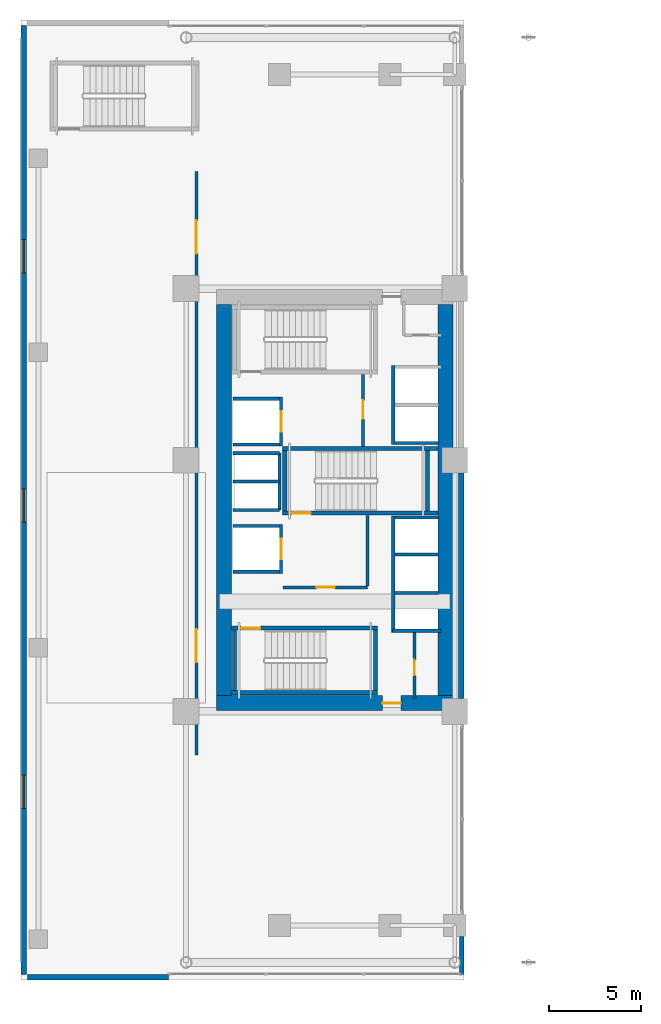
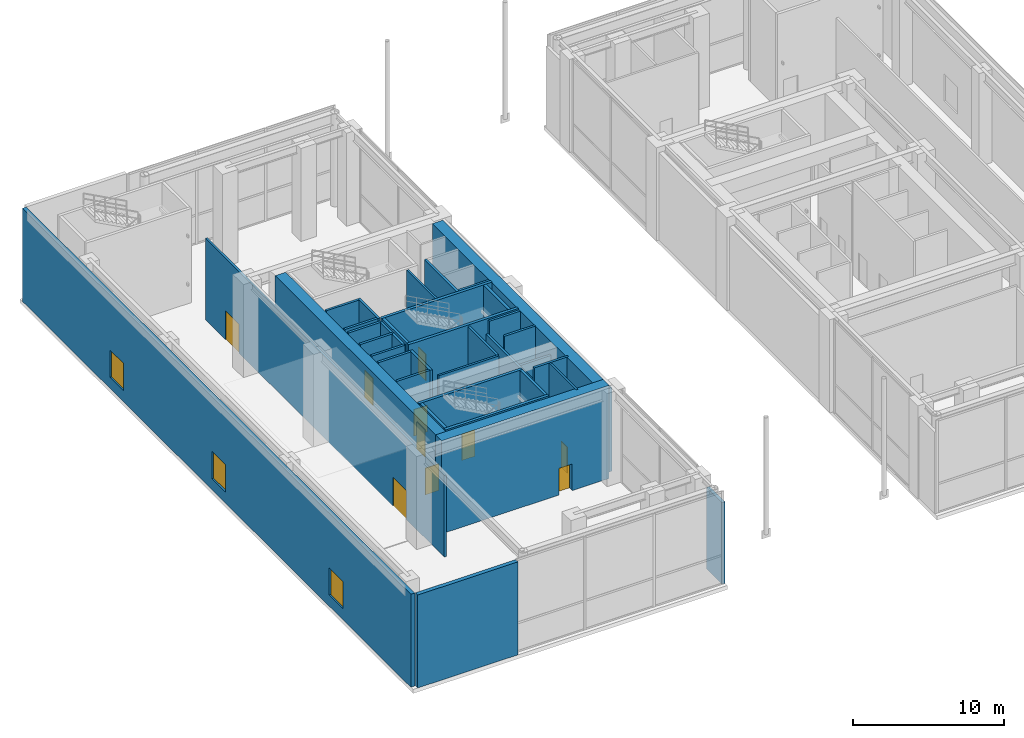
# One storey, part 20 of 29: 37 walls, 10 doors, 3 windows, 13 openings.
"""IFC4 building model written with IfcOpenShell, lengths in metres."""

from ifc_helpers import new_model, si_unit, direction, frame, frame_2d, origin, place, context, subcontext, project, spatial, rectangle, extrude, source, transform, mapped, material, layer, layer_set, type_object, element, fill, save


model = new_model("IFC4")

# Units and contexts
model_context = context("Model", 3, precision=1e-05, world=origin(), true_north=direction((0.0, 1.0)))
body_context = subcontext(model_context, "Body", "Model", "MODEL_VIEW")
ifc_project = project(units=[si_unit("LENGTHUNIT", "METRE"), si_unit("AREAUNIT", "SQUARE_METRE"), si_unit("VOLUMEUNIT", "CUBIC_METRE"), si_unit("PLANEANGLEUNIT", "RADIAN"), si_unit("MASSUNIT", "GRAM", prefix="KILO")], contexts=[model_context])

# Site, building, storey
site_placement = place(None, origin())
site = spatial("IfcSite", under=ifc_project, at=site_placement, CompositionType="ELEMENT")
building_placement = place(site_placement, origin())
building = spatial("IfcBuilding", under=site, at=building_placement, Name="Ocotamira Hotel", CompositionType="ELEMENT")
storey_placement = place(building_placement, frame((0.0, 0.0, 11.39990234375)))
storey = spatial("IfcBuildingStorey", under=building, at=storey_placement, Name="L03", CompositionType="ELEMENT", Elevation=11.39990234375)

# Wall, opening, door
ifc_material_1 = material(Name="Concrete C60/75", Category="concrete")
ifc_layer_1 = layer(ifc_material_1, 0.800048828125)
ifc_layer_set_1 = layer_set([ifc_layer_1], Name="Concrete C60/75")
wall_type_1 = type_object("IfcWallType", Name="WL-CORE-800", PredefinedType="SHEAR", material=ifc_layer_set_1)
wall_1_placement = place(storey_placement, frame((10.60009765625, 15.0, 0.0), z_axis=(0.0, 0.0, 1.0), x_axis=(1.0, 0.0, 0.0)))
wall_1 = element("IfcWall", 1, at=wall_1_placement, inside=storey, type_object=wall_type_1, Name="L03 Shear Core Wall WCORE-S", PredefinedType="SHEAR", context=body_context, shape_type="SweptSolid", body=[
    extrude(rectangle(XDim=12.7998046875, YDim=0.800048828125, at=frame_2d((6.39990234375, 0.0))), origin(), (0.0, 0.0, 1.0), 7.510009765625),
])
opening_1_placement = place(wall_1_placement, frame((8.97998046875, 0.0, 0.0)))
opening_1 = element("IfcOpeningElement", 2, at=opening_1_placement, cuts=wall_1, Name="Opening D-FR2", PredefinedType="OPENING", context=body_context, shape_type="SweptSolid", body=[
    extrude(rectangle(XDim=1.0, YDim=2.14990234375, at=frame_2d((0.5, 1.074951171875))), frame((0.0, 0.41015625, 0.0), z_axis=(0.0, -1.0, 0.0), x_axis=(1.0, 0.0, 0.0)), (0.0, 0.0, 1.0), 0.820068359375),
])
ifc_material_2 = material(Name="Fire-rated acoustic timber-veneer door", Category="wood")
door_type_1 = type_object("IfcDoorType", Name="DR-FIRE-1000", OperationType="NOTDEFINED", PredefinedType="DOOR", material=ifc_material_2)
shared_shape_1 = source(origin(), body_context, "Body", "SweptSolid", [
    extrude(rectangle(XDim=1.0, YDim=2.14990234375, at=frame_2d((0.5, 1.074951171875))), frame((0.0, 0.02490234375, 0.0), z_axis=(0.0, -1.0, 0.0), x_axis=(1.0, 0.0, 0.0)), (0.0, 0.0, 1.0), 0.050048828125),
])
door_1_placement = place(opening_1_placement, origin())
door_1 = element("IfcDoor", 3, at=door_1_placement, inside=storey, type_object=door_type_1, Name="L03 Door ID-L03-WLOB-S-D [ID-L03-WLOB-S-D]", OperationType="SINGLE_SWING_LEFT", OverallHeight=2.14990234375, OverallWidth=1.0, PredefinedType="DOOR", context=body_context, shape_type="MappedRepresentation", body=[
    mapped(shared_shape_1, transform((0.0, 0.0, 0.0), scale=1.0)),
])
fill(opening_1, door_1)

# Walls
for number, where, z_axis, x_axis, name in (
    (4, (11.0, 15.39990234375, 0.0), (0.0, 0.0, 1.0), (0.0, 1.0, 0.0), "L03 Shear Core Wall WCORE-W"),
    (5, (23.0, 15.39990234375, 0.0), (0.0, 0.0, 1.0), (0.0, 1.0, 0.0), "L03 Shear Core Wall WCORE-E"),
):
    element("IfcWall", number, at=place(storey_placement, frame(where, z_axis=z_axis, x_axis=x_axis)), inside=storey, type_object=wall_type_1, Name=name, PredefinedType="SHEAR", context=body_context, shape_type="SweptSolid", body=[
        extrude(rectangle(XDim=21.2001953125, YDim=0.800048828125, at=frame_2d((10.60009765625, 0.0))), origin(), (0.0, 0.0, 1.0), 7.510009765625),
    ])

# Wall, openings, windows
ifc_material_3 = material(Name="Travertine-clad precast concrete C45/55", Category="masonry")
ifc_layer_2 = layer(ifc_material_3, 0.300048828125)
ifc_layer_set_2 = layer_set([ifc_layer_2], Name="Travertine-clad precast concrete C45/55")
wall_type_2 = type_object("IfcWallType", Name="WL-EXT-POD-300", PredefinedType="SOLIDWALL", material=ifc_layer_set_2)
wall_2_placement = place(storey_placement, frame((0.14990234375, 0.300048828125, 0.0), z_axis=(0.0, 0.0, 1.0), x_axis=(0.0, 1.0, 0.0)))
wall_2 = element("IfcWall", 6, at=wall_2_placement, inside=storey, type_object=wall_type_2, Name="L03 West Podium Travertine Wall", PredefinedType="SOLIDWALL", context=body_context, shape_type="SweptSolid", body=[
    extrude(rectangle(XDim=51.39990234375, YDim=0.300048828125, at=frame_2d((25.699951171875, 0.0))), origin(), (0.0, 0.0, 1.0), 7.510009765625),
])
opening_2_placement = place(wall_2_placement, frame((9.0, 0.0, 0.89990234375)))
opening_2 = element("IfcOpeningElement", 7, at=opening_2_placement, cuts=wall_2, Name="Opening WN-4", PredefinedType="OPENING", context=body_context, shape_type="SweptSolid", body=[
    extrude(rectangle(XDim=1.800048828125, YDim=2.199951171875, at=frame_2d((0.89990234375, 1.10009765625))), frame((0.0, 0.16015625, 0.0), z_axis=(0.0, -1.0, 0.0), x_axis=(1.0, 0.0, 0.0)), (0.0, 0.0, 1.0), 0.320068359375),
])
opening_3_placement = place(wall_2_placement, frame((24.5, 0.0, 0.89990234375)))
opening_3 = element("IfcOpeningElement", 8, at=opening_3_placement, cuts=wall_2, Name="Opening WN-4", PredefinedType="OPENING", context=body_context, shape_type="SweptSolid", body=[
    extrude(rectangle(XDim=1.800048828125, YDim=2.199951171875, at=frame_2d((0.89990234375, 1.10009765625))), frame((0.0, 0.16015625, 0.0), z_axis=(0.0, -1.0, 0.0), x_axis=(1.0, 0.0, 0.0)), (0.0, 0.0, 1.0), 0.320068359375),
])
opening_4_placement = place(wall_2_placement, frame((38.0, 0.0, 0.89990234375)))
opening_4 = element("IfcOpeningElement", 9, at=opening_4_placement, cuts=wall_2, Name="Opening WN-4", PredefinedType="OPENING", context=body_context, shape_type="SweptSolid", body=[
    extrude(rectangle(XDim=1.800048828125, YDim=2.199951171875, at=frame_2d((0.89990234375, 1.10009765625))), frame((0.0, 0.16015625, 0.0), z_axis=(0.0, -1.0, 0.0), x_axis=(1.0, 0.0, 0.0)), (0.0, 0.0, 1.0), 0.320068359375),
])
ifc_material_4 = material(Name="Double-silver low-E solar glass", Category="glass")
window_type = type_object("IfcWindowType", Name="WIN-POD-1800", PartitioningType="SINGLE_PANEL", PredefinedType="WINDOW", material=ifc_material_4)
shared_shape_2 = source(origin(), body_context, "Body", "SweptSolid", [
    extrude(rectangle(XDim=1.800048828125, YDim=2.199951171875, at=frame_2d((0.89990234375, 1.10009765625))), frame((0.0, 0.030029296875, 0.0), z_axis=(0.0, -1.0, 0.0), x_axis=(1.0, 0.0, 0.0)), (0.0, 0.0, 1.0), 0.06005859375),
])
window_1_placement = place(opening_2_placement, origin())
window_1 = element("IfcWindow", 10, at=window_1_placement, inside=storey, type_object=window_type, Name="L03 West Podium Window 1", OverallHeight=2.199951171875, OverallWidth=1.800048828125, PartitioningType="SINGLE_PANEL", PredefinedType="WINDOW", context=body_context, shape_type="MappedRepresentation", body=[
    mapped(shared_shape_2, transform((0.0, 0.0, 0.0), scale=1.0)),
])
fill(opening_2, window_1)
window_2_placement = place(opening_3_placement, origin())
window_2 = element("IfcWindow", 11, at=window_2_placement, inside=storey, type_object=window_type, Name="L03 West Podium Window 2", OverallHeight=2.199951171875, OverallWidth=1.800048828125, PartitioningType="SINGLE_PANEL", PredefinedType="WINDOW", context=body_context, shape_type="MappedRepresentation", body=[
    mapped(shared_shape_2, transform((0.0, 0.0, 0.0), scale=1.0)),
])
fill(opening_3, window_2)
window_3_placement = place(opening_4_placement, origin())
window_3 = element("IfcWindow", 12, at=window_3_placement, inside=storey, type_object=window_type, Name="L03 West Podium Window 3", OverallHeight=2.199951171875, OverallWidth=1.800048828125, PartitioningType="SINGLE_PANEL", PredefinedType="WINDOW", context=body_context, shape_type="MappedRepresentation", body=[
    mapped(shared_shape_2, transform((0.0, 0.0, 0.0), scale=1.0)),
])
fill(opening_4, window_3)

# Walls
wall_3_placement = place(storey_placement, frame((8.0, 0.14990234375, 0.0), z_axis=(0.0, 0.0, 1.0), x_axis=(-1.0, 0.0, 0.0)))
element("IfcWall", 13, at=wall_3_placement, inside=storey, type_object=wall_type_2, Name="L03 S-West Podium Wall", PredefinedType="SOLIDWALL", context=body_context, shape_type="SweptSolid", body=[
    extrude(rectangle(XDim=7.64990234375, YDim=0.300048828125, at=frame_2d((3.824951171875, 0.0))), origin(), (0.0, 0.0, 1.0), 7.510009765625),
])
wall_4_placement = place(storey_placement, frame((23.8798828125, 0.300048828125, 0.0), z_axis=(0.0, 0.0, 1.0), x_axis=(0.0, 1.0, 0.0)))
element("IfcWall", 14, at=wall_4_placement, inside=storey, type_object=wall_type_2, Name="L03 Giant Arch South Corner Cheek Wall AW", PredefinedType="SOLIDWALL", context=body_context, shape_type="SweptSolid", body=[
    extrude(rectangle(XDim=2.050048828125, YDim=0.239990234375, at=frame_2d((1.02490234375, 0.0))), origin(), (0.0, 0.0, 1.0), 6.5830078125),
])
wall_5_placement = place(storey_placement, frame((23.85009765625, 15.25, 0.0), z_axis=(0.0, 0.0, 1.0), x_axis=(0.0, 1.0, 0.0)))
element("IfcWall", 15, at=wall_5_placement, inside=storey, type_object=wall_type_2, Name="L03 Giant Arch Core Cheek Wall AW-1", PredefinedType="SOLIDWALL", context=body_context, shape_type="SweptSolid", body=[
    extrude(rectangle(XDim=12.199951171875, YDim=0.300048828125, at=frame_2d((6.10009765625, 0.0))), origin(), (0.0, 0.0, 1.0), 6.731201171875),
])

# Wall, opening, door
ifc_material_5 = material(Name="Acoustic double-layer fire gypsum board partition", Category="gypsum")
ifc_layer_3 = layer(ifc_material_5, 0.159912109375)
ifc_layer_set_3 = layer_set([ifc_layer_3], Name="Acoustic double-layer fire gypsum board partition")
wall_type_3 = type_object("IfcWallType", Name="WL-FIRE-160", PredefinedType="PARTITIONING", material=ifc_layer_set_3)
wall_6_placement = place(storey_placement, frame((14.199951171875, 21.27001953125, 0.0), z_axis=(0.0, 0.0, 1.0), x_axis=(1.0, 0.0, 0.0)))
wall_6 = element("IfcWall", 16, at=wall_6_placement, inside=storey, type_object=wall_type_3, Name="L03 Interior Wall PW-L03-FSAE1-S", PredefinedType="PARTITIONING", context=body_context, shape_type="SweptSolid", body=[
    extrude(rectangle(XDim=4.580078125, YDim=0.159912109375, at=frame_2d((2.2900390625, 0.0))), origin(), (0.0, 0.0, 1.0), 7.510009765625),
])
opening_5_placement = place(wall_6_placement, frame((1.800048828125, 0.0, 0.0)))
opening_5 = element("IfcOpeningElement", 17, at=opening_5_placement, cuts=wall_6, Name="Opening D-FR2", PredefinedType="OPENING", context=body_context, shape_type="SweptSolid", body=[
    extrude(rectangle(XDim=1.0, YDim=2.14990234375, at=frame_2d((0.5, 1.074951171875))), frame((0.0, 0.08984375, 0.0), z_axis=(0.0, -1.0, 0.0), x_axis=(1.0, 0.0, 0.0)), (0.0, 0.0, 1.0), 0.179931640625),
])
door_2_placement = place(opening_5_placement, origin())
door_2 = element("IfcDoor", 18, at=door_2_placement, inside=storey, type_object=door_type_1, Name="L03 Door ID-L03-FSAE1-D [ID-L03-FSAE1-D]", OperationType="SINGLE_SWING_LEFT", OverallHeight=2.14990234375, OverallWidth=1.0, PredefinedType="DOOR", context=body_context, shape_type="MappedRepresentation", body=[
    mapped(shared_shape_1, transform((0.0, 0.0, 0.0), scale=1.0)),
])
fill(opening_5, door_2)

# Wall
wall_7_placement = place(storey_placement, frame((18.780029296875, 21.35009765625, 0.0), z_axis=(0.0, 0.0, 1.0), x_axis=(0.0, 1.0, 0.0)))
element("IfcWall", 19, at=wall_7_placement, inside=storey, type_object=wall_type_3, Name="L03 Interior Wall PW-L03-FSAE1-E", PredefinedType="PARTITIONING", context=body_context, shape_type="SweptSolid", body=[
    extrude(rectangle(XDim=3.809814453125, YDim=0.159912109375, at=frame_2d((1.90478515625, 0.0))), origin(), (0.0, 0.0, 1.0), 7.510009765625),
])

# Wall, opening, door
wall_8_placement = place(storey_placement, frame((18.530029296875, 28.89990234375, 0.0), z_axis=(0.0, 0.0, 1.0), x_axis=(0.0, 1.0, 0.0)))
wall_8 = element("IfcWall", 20, at=wall_8_placement, inside=storey, type_object=wall_type_3, Name="L03 Interior Wall PW-L03-FSAE2-E", PredefinedType="PARTITIONING", context=body_context, shape_type="SweptSolid", body=[
    extrude(rectangle(XDim=3.900146484375, YDim=0.159912109375, at=frame_2d((1.9501953125, 0.0))), origin(), (0.0, 0.0, 1.0), 7.510009765625),
])
opening_6_placement = place(wall_8_placement, frame((1.5, 0.0, 0.0)))
opening_6 = element("IfcOpeningElement", 21, at=opening_6_placement, cuts=wall_8, Name="Opening D-FR2", PredefinedType="OPENING", context=body_context, shape_type="SweptSolid", body=[
    extrude(rectangle(XDim=1.0, YDim=2.14990234375, at=frame_2d((0.5, 1.074951171875))), frame((0.0, 0.08984375, 0.0), z_axis=(0.0, -1.0, 0.0), x_axis=(1.0, 0.0, 0.0)), (0.0, 0.0, 1.0), 0.179931640625),
])
door_3_placement = place(opening_6_placement, origin())
door_3 = element("IfcDoor", 22, at=door_3_placement, inside=storey, type_object=door_type_1, Name="L03 Door ID-L03-FSAE2-D [ID-L03-FSAE2-D]", OperationType="SINGLE_SWING_RIGHT", OverallHeight=2.14990234375, OverallWidth=1.0, PredefinedType="DOOR", context=body_context, shape_type="MappedRepresentation", body=[
    mapped(shared_shape_1, transform((0.0, 0.0, 0.0), scale=1.0)),
])
fill(opening_6, door_3)

# Wall, openings, doors
wall_9_placement = place(storey_placement, frame((9.5, 12.199951171875, 0.0), z_axis=(0.0, 0.0, 1.0), x_axis=(0.0, 1.0, 0.0)))
wall_9 = element("IfcWall", 23, at=wall_9_placement, inside=storey, type_object=wall_type_3, Name="L03 Interior Wall PW-L03-L03-BALL-E", PredefinedType="PARTITIONING", context=body_context, shape_type="SweptSolid", body=[
    extrude(rectangle(XDim=31.60009765625, YDim=0.159912109375, at=frame_2d((15.800048828125, 0.0))), origin(), (0.0, 0.0, 1.0), 6.5830078125),
])
opening_7_placement = place(wall_9_placement, frame((5.0, 0.0, 0.0)))
opening_7 = element("IfcOpeningElement", 24, at=opening_7_placement, cuts=wall_9, Name="Opening D-DB2", PredefinedType="OPENING", context=body_context, shape_type="SweptSolid", body=[
    extrude(rectangle(XDim=1.800048828125, YDim=2.35009765625, at=frame_2d((0.89990234375, 1.175048828125))), frame((0.0, 0.08984375, 0.0), z_axis=(0.0, -1.0, 0.0), x_axis=(1.0, 0.0, 0.0)), (0.0, 0.0, 1.0), 0.179931640625),
])
opening_8_placement = place(wall_9_placement, frame((27.14990234375, 0.0, 0.0)))
opening_8 = element("IfcOpeningElement", 25, at=opening_8_placement, cuts=wall_9, Name="Opening D-DB2", PredefinedType="OPENING", context=body_context, shape_type="SweptSolid", body=[
    extrude(rectangle(XDim=1.800048828125, YDim=2.35009765625, at=frame_2d((0.89990234375, 1.175048828125))), frame((0.0, 0.08984375, 0.0), z_axis=(0.0, -1.0, 0.0), x_axis=(1.0, 0.0, 0.0)), (0.0, 0.0, 1.0), 0.179931640625),
])
ifc_material_6 = material(Name="Double-leaf assembly timber fire door", Category="wood")
door_type_2 = type_object("IfcDoorType", Name="DR-DBL-1800", OperationType="NOTDEFINED", PredefinedType="DOOR", material=ifc_material_6)
shared_shape_3 = source(origin(), body_context, "Body", "SweptSolid", [
    extrude(rectangle(XDim=1.800048828125, YDim=2.35009765625, at=frame_2d((0.89990234375, 1.175048828125))), frame((0.0, 0.02490234375, 0.0), z_axis=(0.0, -1.0, 0.0), x_axis=(1.0, 0.0, 0.0)), (0.0, 0.0, 1.0), 0.050048828125),
])
door_4_placement = place(opening_7_placement, origin())
door_4 = element("IfcDoor", 26, at=door_4_placement, inside=storey, type_object=door_type_2, Name="L03 Door ID-L03-L03-BALL-D1 [ID-L03-L03-BALL-D1]", OperationType="DOUBLE_DOOR_SINGLE_SWING", OverallHeight=2.35009765625, OverallWidth=1.800048828125, PredefinedType="DOOR", context=body_context, shape_type="MappedRepresentation", body=[
    mapped(shared_shape_3, transform((0.0, 0.0, 0.0), scale=1.0)),
])
fill(opening_7, door_4)
door_5_placement = place(opening_8_placement, origin())
door_5 = element("IfcDoor", 27, at=door_5_placement, inside=storey, type_object=door_type_2, Name="L03 Door ID-L03-L03-BALL-D2 [ID-L03-L03-BALL-D2]", OperationType="DOUBLE_DOOR_SINGLE_SWING", OverallHeight=2.35009765625, OverallWidth=1.800048828125, PredefinedType="DOOR", context=body_context, shape_type="MappedRepresentation", body=[
    mapped(shared_shape_3, transform((0.0, 0.0, 0.0), scale=1.0)),
])
fill(opening_8, door_5)

# Wall, opening, door
ifc_material_7 = material(Name="Acoustic hospitality gypsum board partition", Category="gypsum")
ifc_layer_4 = layer(ifc_material_7, 0.14208984375)
ifc_layer_set_4 = layer_set([ifc_layer_4], Name="Acoustic hospitality gypsum board partition")
wall_type_4 = type_object("IfcWallType", Name="WL-PART-142", PredefinedType="PARTITIONING", material=ifc_layer_set_4)
wall_10_placement = place(storey_placement, frame((21.320068359375, 15.25, 0.0), z_axis=(0.0, 0.0, 1.0), x_axis=(0.0, 1.0, 0.0)))
wall_10 = element("IfcWall", 28, at=wall_10_placement, inside=storey, type_object=wall_type_4, Name="L03 Interior Wall PW-L03-WC-SE-W", PredefinedType="PARTITIONING", context=body_context, shape_type="SweptSolid", body=[
    extrude(rectangle(XDim=3.590087890625, YDim=0.14208984375, at=frame_2d((1.794921875, 0.0))), origin(), (0.0, 0.0, 1.0), 7.510009765625),
])
opening_9_placement = place(wall_10_placement, frame((1.25, 0.0, 0.0)))
opening_9 = element("IfcOpeningElement", 29, at=opening_9_placement, cuts=wall_10, Name="Opening D-SV1", PredefinedType="OPENING", context=body_context, shape_type="SweptSolid", body=[
    extrude(rectangle(XDim=0.840087890625, YDim=2.10009765625, at=frame_2d((0.419921875, 1.050048828125))), frame((0.0, 0.0810546875, 0.0), z_axis=(0.0, -1.0, 0.0), x_axis=(1.0, 0.0, 0.0)), (0.0, 0.0, 1.0), 0.162109375),
])
ifc_material_8 = material(Name="Fire-rated painted steel service door", Category="steel")
door_type_3 = type_object("IfcDoorType", Name="DR-SERV-840", OperationType="NOTDEFINED", PredefinedType="DOOR", material=ifc_material_8)
shared_shape_4 = source(origin(), body_context, "Body", "SweptSolid", [
    extrude(rectangle(XDim=0.840087890625, YDim=2.10009765625, at=frame_2d((0.419921875, 1.050048828125))), frame((0.0, 0.02490234375, 0.0), z_axis=(0.0, -1.0, 0.0), x_axis=(1.0, 0.0, 0.0)), (0.0, 0.0, 1.0), 0.050048828125),
])
door_6_placement = place(opening_9_placement, origin())
door_6 = element("IfcDoor", 30, at=door_6_placement, inside=storey, type_object=door_type_3, Name="L03 Door ID-L03-WC-SE-D [ID-L03-WC-SE-D]", OperationType="SINGLE_SWING_RIGHT", OverallHeight=2.10009765625, OverallWidth=0.840087890625, PredefinedType="DOOR", context=body_context, shape_type="MappedRepresentation", body=[
    mapped(shared_shape_4, transform((0.0, 0.0, 0.0), scale=1.0)),
])
fill(opening_9, door_6)

# Walls
ifc_material_9 = material(Name="Fire-rated gypsum shaftliner board assembly", Category="gypsum")
ifc_layer_5 = layer(ifc_material_9, 0.179931640625)
ifc_layer_set_5 = layer_set([ifc_layer_5], Name="Fire-rated gypsum shaftliner board assembly")
wall_type_5 = type_object("IfcWallType", Name="WL-SHAFT-180", PredefinedType="SOLIDWALL", material=ifc_layer_set_5)
wall_11_placement = place(storey_placement, frame((20.159912109375, 18.820068359375, 0.0), z_axis=(0.0, 0.0, 1.0), x_axis=(0.0, 1.0, 0.0)))
element("IfcWall", 31, at=wall_11_placement, inside=storey, type_object=wall_type_5, Name="L03 Interior Wall PW-L03-LFW-BANK-high-F", PredefinedType="SOLIDWALL", context=body_context, shape_type="SweptSolid", body=[
    extrude(rectangle(XDim=6.31982421875, YDim=0.179931640625, at=frame_2d((3.159912109375, 0.0))), origin(), (0.0, 0.0, 1.0), 6.41015625),
])
wall_12_placement = place(storey_placement, frame((20.1201171875, 18.909912109375, 0.0), z_axis=(0.0, 0.0, 1.0), x_axis=(1.0, 0.0, 0.0)))
element("IfcWall", 32, at=wall_12_placement, inside=storey, type_object=wall_type_5, Name="L03 Interior Wall PW-L03-LFW-BANK-high-S", PredefinedType="SOLIDWALL", context=body_context, shape_type="SweptSolid", body=[
    extrude(rectangle(XDim=2.6298828125, YDim=0.179931640625, at=frame_2d((1.31494140625, 0.0))), origin(), (0.0, 0.0, 1.0), 7.510009765625),
])
wall_13_placement = place(storey_placement, frame((20.25, 25.050048828125, 0.0), z_axis=(0.0, 0.0, 1.0), x_axis=(1.0, 0.0, 0.0)))
element("IfcWall", 33, at=wall_13_placement, inside=storey, type_object=wall_type_5, Name="L03 Interior Wall PW-L03-LFW-BANK-high-N", PredefinedType="SOLIDWALL", context=body_context, shape_type="SweptSolid", body=[
    extrude(rectangle(XDim=2.360107421875, YDim=0.179931640625, at=frame_2d((1.18017578125, 0.0))), origin(), (0.0, 0.0, 1.0), 7.510009765625),
])
wall_14_placement = place(storey_placement, frame((20.25, 20.965087890625, 0.0), z_axis=(0.0, 0.0, 1.0), x_axis=(1.0, 0.0, 0.0)))
element("IfcWall", 34, at=wall_14_placement, inside=storey, type_object=wall_type_5, Name="L03 Interior Wall PW-L03-LFW-DIV-LF-P7", PredefinedType="SOLIDWALL", context=body_context, shape_type="SweptSolid", body=[
    extrude(rectangle(XDim=2.360107421875, YDim=0.179931640625, at=frame_2d((1.18017578125, 0.0))), origin(), (0.0, 0.0, 1.0), 6.41015625),
])
wall_15_placement = place(storey_placement, frame((20.25, 23.044921875, 0.0), z_axis=(0.0, 0.0, 1.0), x_axis=(1.0, 0.0, 0.0)))
element("IfcWall", 35, at=wall_15_placement, inside=storey, type_object=wall_type_5, Name="L03 Interior Wall PW-L03-LFW-DIV-LF-P8", PredefinedType="SOLIDWALL", context=body_context, shape_type="SweptSolid", body=[
    extrude(rectangle(XDim=2.360107421875, YDim=0.179931640625, at=frame_2d((1.18017578125, 0.0))), origin(), (0.0, 0.0, 1.0), 7.510009765625),
])
wall_16_placement = place(storey_placement, frame((20.159912109375, 29.0, 0.0), z_axis=(0.0, 0.0, 1.0), x_axis=(0.0, 1.0, 0.0)))
element("IfcWall", 36, at=wall_16_placement, inside=storey, type_object=wall_type_5, Name="L03 Interior Wall PW-L03-LFW-BANK-obs-F", PredefinedType="SOLIDWALL", context=body_context, shape_type="SweptSolid", body=[
    extrude(rectangle(XDim=4.2900390625, YDim=0.179931640625, at=frame_2d((2.14501953125, 0.0))), origin(), (0.0, 0.0, 1.0), 7.510009765625),
])
wall_17_placement = place(storey_placement, frame((20.25, 29.090087890625, 0.0), z_axis=(0.0, 0.0, 1.0), x_axis=(1.0, 0.0, 0.0)))
element("IfcWall", 37, at=wall_17_placement, inside=storey, type_object=wall_type_5, Name="L03 Interior Wall PW-L03-LFW-BANK-obs-S", PredefinedType="SOLIDWALL", context=body_context, shape_type="SweptSolid", body=[
    extrude(rectangle(XDim=2.360107421875, YDim=0.179931640625, at=frame_2d((1.18017578125, 0.0))), origin(), (0.0, 0.0, 1.0), 7.510009765625),
])
for number, where, z_axis, x_axis, name in (
    (38, (11.5, 22.110107421875, 0.0), (0.0, 0.0, 1.0), (1.0, 0.0, 0.0), "L03 Interior Wall PW-L03-LFW-LF-FSAE1-S"),
    (39, (11.5, 24.590087890625, 0.0), (0.0, 0.0, 1.0), (1.0, 0.0, 0.0), "L03 Interior Wall PW-L03-LFW-LF-FSAE1-N"),
):
    element("IfcWall", number, at=place(storey_placement, frame(where, z_axis=z_axis, x_axis=x_axis)), inside=storey, type_object=wall_type_5, Name=name, PredefinedType="SOLIDWALL", context=body_context, shape_type="SweptSolid", body=[
        extrude(rectangle(XDim=2.5, YDim=0.179931640625, at=frame_2d((1.25, 0.0))), origin(), (0.0, 0.0, 1.0), 7.510009765625),
    ])

# Wall, opening, door
wall_18_placement = place(storey_placement, frame((14.090087890625, 22.02001953125, 0.0), z_axis=(0.0, 0.0, 1.0), x_axis=(0.0, 1.0, 0.0)))
wall_18 = element("IfcWall", 40, at=wall_18_placement, inside=storey, type_object=wall_type_5, Name="L03 Interior Wall PW-L03-LFW-LF-FSAE1-E", PredefinedType="SOLIDWALL", context=body_context, shape_type="SweptSolid", body=[
    extrude(rectangle(XDim=2.659912109375, YDim=0.179931640625, at=frame_2d((1.330078125, 0.0))), origin(), (0.0, 0.0, 1.0), 7.510009765625),
])
opening_10_placement = place(wall_18_placement, frame((0.780029296875, 0.0, 0.0)))
opening_10 = element("IfcOpeningElement", 41, at=opening_10_placement, cuts=wall_18, Name="Opening LD-LF-FSAE1", PredefinedType="OPENING", context=body_context, shape_type="SweptSolid", body=[
    extrude(rectangle(XDim=1.10009765625, YDim=2.199951171875, at=frame_2d((0.550048828125, 1.10009765625))), frame((0.0, 0.10009765625, 0.0), z_axis=(0.0, -1.0, 0.0), x_axis=(1.0, 0.0, 0.0)), (0.0, 0.0, 1.0), 0.199951171875),
])
ifc_material_10 = material(Name="Brushed pale-metal stainless elevator landing door", Category="steel")
door_type_4 = type_object("IfcDoorType", Name="DR-LIFT-1100", OperationType="NOTDEFINED", PredefinedType="DOOR", material=ifc_material_10)
shared_shape_5 = source(origin(), body_context, "Body", "SweptSolid", [
    extrude(rectangle(XDim=1.10009765625, YDim=2.199951171875, at=frame_2d((0.550048828125, 1.10009765625))), frame((0.0, 0.02490234375, 0.0), z_axis=(0.0, -1.0, 0.0), x_axis=(1.0, 0.0, 0.0)), (0.0, 0.0, 1.0), 0.050048828125),
])
door_7_placement = place(opening_10_placement, origin())
door_7 = element("IfcDoor", 42, at=door_7_placement, inside=storey, type_object=door_type_4, Name="L03 Landing Door LD-LF-FSAE1 [ID-L03-LD-LF-FSAE1]", OperationType="DOUBLE_DOOR_SLIDING", OverallHeight=2.199951171875, OverallWidth=1.10009765625, PredefinedType="DOOR", context=body_context, shape_type="MappedRepresentation", body=[
    mapped(shared_shape_5, transform((0.0, 0.0, 0.0), scale=1.0)),
])
fill(opening_10, door_7)

# Walls
for number, where, z_axis, x_axis, name in (
    (43, (11.5, 29.010009765625, 0.0), (0.0, 0.0, 1.0), (1.0, 0.0, 0.0), "L03 Interior Wall PW-L03-LFW-LF-FSAE2-S"),
    (44, (11.5, 31.489990234375, 0.0), (0.0, 0.0, 1.0), (1.0, 0.0, 0.0), "L03 Interior Wall PW-L03-LFW-LF-FSAE2-N"),
):
    element("IfcWall", number, at=place(storey_placement, frame(where, z_axis=z_axis, x_axis=x_axis)), inside=storey, type_object=wall_type_5, Name=name, PredefinedType="SOLIDWALL", context=body_context, shape_type="SweptSolid", body=[
        extrude(rectangle(XDim=2.5, YDim=0.179931640625, at=frame_2d((1.25, 0.0))), origin(), (0.0, 0.0, 1.0), 7.510009765625),
    ])

# Wall, opening, door
wall_19_placement = place(storey_placement, frame((14.090087890625, 28.919921875, 0.0), z_axis=(0.0, 0.0, 1.0), x_axis=(0.0, 1.0, 0.0)))
wall_19 = element("IfcWall", 45, at=wall_19_placement, inside=storey, type_object=wall_type_5, Name="L03 Interior Wall PW-L03-LFW-LF-FSAE2-E", PredefinedType="SOLIDWALL", context=body_context, shape_type="SweptSolid", body=[
    extrude(rectangle(XDim=2.66015625, YDim=0.179931640625, at=frame_2d((1.330078125, 0.0))), origin(), (0.0, 0.0, 1.0), 7.510009765625),
])
opening_11_placement = place(wall_19_placement, frame((0.780029296875, 0.0, 0.0)))
opening_11 = element("IfcOpeningElement", 46, at=opening_11_placement, cuts=wall_19, Name="Opening LD-LF-FSAE2", PredefinedType="OPENING", context=body_context, shape_type="SweptSolid", body=[
    extrude(rectangle(XDim=1.10009765625, YDim=2.199951171875, at=frame_2d((0.550048828125, 1.10009765625))), frame((0.0, 0.10009765625, 0.0), z_axis=(0.0, -1.0, 0.0), x_axis=(1.0, 0.0, 0.0)), (0.0, 0.0, 1.0), 0.199951171875),
])
door_8_placement = place(opening_11_placement, origin())
door_8 = element("IfcDoor", 47, at=door_8_placement, inside=storey, type_object=door_type_4, Name="L03 Landing Door LD-LF-FSAE2 [ID-L03-LD-LF-FSAE2]", OperationType="DOUBLE_DOOR_SLIDING", OverallHeight=2.199951171875, OverallWidth=1.10009765625, PredefinedType="DOOR", context=body_context, shape_type="MappedRepresentation", body=[
    mapped(shared_shape_5, transform((0.0, 0.0, 0.0), scale=1.0)),
])
fill(opening_11, door_8)

# Walls
for number, where, z_axis, x_axis, name in (
    (48, (11.5, 25.4599609375, 0.0), (0.0, 0.0, 1.0), (1.0, 0.0, 0.0), "L03 Interior Wall PW-L03-RSW-S"),
    (49, (11.5, 27.0, 0.0), (0.0, 0.0, 1.0), (1.0, 0.0, 0.0), "L03 Interior Wall PW-L03-RSW-MID"),
    (50, (11.5, 28.5400390625, 0.0), (0.0, 0.0, 1.0), (1.0, 0.0, 0.0), "L03 Interior Wall PW-L03-RSW-N"),
):
    element("IfcWall", number, at=place(storey_placement, frame(where, z_axis=z_axis, x_axis=x_axis)), inside=storey, type_object=wall_type_5, Name=name, PredefinedType="SOLIDWALL", context=body_context, shape_type="SweptSolid", body=[
        extrude(rectangle(XDim=2.510009765625, YDim=0.179931640625, at=frame_2d((1.2548828125, 0.0))), origin(), (0.0, 0.0, 1.0), 7.510009765625),
    ])
wall_20_placement = place(storey_placement, frame((14.010009765625, 25.4599609375, 0.0), z_axis=(0.0, 0.0, 1.0), x_axis=(0.0, 1.0, 0.0)))
element("IfcWall", 51, at=wall_20_placement, inside=storey, type_object=wall_type_5, Name="L03 Interior Wall PW-L03-RSW-E", PredefinedType="SOLIDWALL", context=body_context, shape_type="SweptSolid", body=[
    extrude(rectangle(XDim=3.080078125, YDim=0.179931640625, at=frame_2d((1.5400390625, 0.0))), origin(), (0.0, 0.0, 1.0), 7.510009765625),
])
ifc_material_11 = material(Name="Concrete C50/60", Category="concrete")
ifc_layer_6 = layer(ifc_material_11, 0.219970703125)
ifc_layer_set_6 = layer_set([ifc_layer_6], Name="Concrete C50/60")
wall_type_6 = type_object("IfcWallType", Name="WL-STAIR-220", PredefinedType="SHEAR", material=ifc_layer_set_6)
wall_21_placement = place(storey_placement, frame((11.39990234375, 15.56005859375, 0.0), z_axis=(0.0, 0.0, 1.0), x_axis=(1.0, 0.0, 0.0)))
element("IfcWall", 52, at=wall_21_placement, inside=storey, type_object=wall_type_6, Name="L03 Stair Shaft Structural Wall ST-1-S", PredefinedType="SHEAR", context=body_context, shape_type="SweptSolid", body=[
    extrude(rectangle(XDim=7.91015625, YDim=0.219970703125, at=frame_2d((3.955078125, 0.0))), origin(), (0.0, 0.0, 1.0), 7.60009765625),
])

# Wall, opening, door
wall_22_placement = place(storey_placement, frame((11.39990234375, 19.06005859375, 0.0), z_axis=(0.0, 0.0, 1.0), x_axis=(1.0, 0.0, 0.0)))
wall_22 = element("IfcWall", 53, at=wall_22_placement, inside=storey, type_object=wall_type_6, Name="L03 Stair Shaft Structural Wall ST-1-N", PredefinedType="SHEAR", context=body_context, shape_type="SweptSolid", body=[
    extrude(rectangle(XDim=7.91015625, YDim=0.219970703125, at=frame_2d((3.955078125, 0.0))), origin(), (0.0, 0.0, 1.0), 7.60009765625),
])
opening_12_placement = place(wall_22_placement, frame((0.52001953125, 0.0, 0.0)))
opening_12 = element("IfcOpeningElement", 54, at=opening_12_placement, cuts=wall_22, Name="Opening D-ST2", PredefinedType="OPENING", context=body_context, shape_type="SweptSolid", body=[
    extrude(rectangle(XDim=1.050048828125, YDim=2.14990234375, at=frame_2d((0.52490234375, 1.074951171875))), frame((0.0, 0.1201171875, 0.0), z_axis=(0.0, -1.0, 0.0), x_axis=(1.0, 0.0, 0.0)), (0.0, 0.0, 1.0), 0.239990234375),
])
ifc_material_12 = material(Name="Insulated painted hollow-metal fire exit door", Category="steel")
door_type_5 = type_object("IfcDoorType", Name="DR-STAIR-1050", OperationType="NOTDEFINED", PredefinedType="DOOR", material=ifc_material_12)
shared_shape_6 = source(origin(), body_context, "Body", "SweptSolid", [
    extrude(rectangle(XDim=1.050048828125, YDim=2.14990234375, at=frame_2d((0.52490234375, 1.074951171875))), frame((0.0, 0.02490234375, 0.0), z_axis=(0.0, -1.0, 0.0), x_axis=(1.0, 0.0, 0.0)), (0.0, 0.0, 1.0), 0.050048828125),
])
door_9_placement = place(opening_12_placement, origin())
door_9 = element("IfcDoor", 55, at=door_9_placement, inside=storey, type_object=door_type_5, Name="L03 Door ID-L03-STD-ST-1 [ID-L03-STD-ST-1]", OperationType="SINGLE_SWING_RIGHT", OverallHeight=2.14990234375, OverallWidth=1.050048828125, PredefinedType="DOOR", context=body_context, shape_type="MappedRepresentation", body=[
    mapped(shared_shape_6, transform((0.0, 0.0, 0.0), scale=1.0)),
])
fill(opening_12, door_9)

# Walls
for number, where, z_axis, x_axis, name in (
    (56, (11.56005859375, 15.669921875, 0.0), (0.0, 0.0, 1.0), (0.0, 1.0, 0.0), "L03 Stair Shaft Structural Wall ST-1-W"),
    (57, (19.199951171875, 15.669921875, 0.0), (0.0, 0.0, 1.0), (0.0, 1.0, 0.0), "L03 Stair Shaft Structural Wall ST-1-E"),
):
    element("IfcWall", number, at=place(storey_placement, frame(where, z_axis=z_axis, x_axis=x_axis)), inside=storey, type_object=wall_type_6, Name=name, PredefinedType="SHEAR", context=body_context, shape_type="SweptSolid", body=[
        extrude(rectangle(XDim=3.280029296875, YDim=0.219970703125, at=frame_2d((1.64013671875, 0.0))), origin(), (0.0, 0.0, 1.0), 7.60009765625),
    ])

# Wall, opening, door
wall_23_placement = place(storey_placement, frame((14.179931640625, 25.2900390625, 0.0), z_axis=(0.0, 0.0, 1.0), x_axis=(1.0, 0.0, 0.0)))
wall_23 = element("IfcWall", 58, at=wall_23_placement, inside=storey, type_object=wall_type_6, Name="L03 Stair Shaft Structural Wall ST-3-S", PredefinedType="SHEAR", context=body_context, shape_type="SweptSolid", body=[
    extrude(rectangle(XDim=8.420166015625, YDim=0.219970703125, at=frame_2d((4.2099609375, 0.0))), origin(), (0.0, 0.0, 1.0), 7.60009765625),
])
opening_13_placement = place(wall_23_placement, frame((0.469970703125, 0.0, 0.0)))
opening_13 = element("IfcOpeningElement", 59, at=opening_13_placement, cuts=wall_23, Name="Opening D-ST2", PredefinedType="OPENING", context=body_context, shape_type="SweptSolid", body=[
    extrude(rectangle(XDim=1.050048828125, YDim=2.14990234375, at=frame_2d((0.52490234375, 1.074951171875))), frame((0.0, 0.1201171875, 0.0), z_axis=(0.0, -1.0, 0.0), x_axis=(1.0, 0.0, 0.0)), (0.0, 0.0, 1.0), 0.239990234375),
])
door_10_placement = place(opening_13_placement, origin())
door_10 = element("IfcDoor", 60, at=door_10_placement, inside=storey, type_object=door_type_5, Name="L03 Door ID-L03-STD-ST-3 [ID-L03-STD-ST-3]", OperationType="SINGLE_SWING_RIGHT", OverallHeight=2.14990234375, OverallWidth=1.050048828125, PredefinedType="DOOR", context=body_context, shape_type="MappedRepresentation", body=[
    mapped(shared_shape_6, transform((0.0, 0.0, 0.0), scale=1.0)),
])
fill(opening_13, door_10)

# Walls
wall_24_placement = place(storey_placement, frame((14.179931640625, 28.7900390625, 0.0), z_axis=(0.0, 0.0, 1.0), x_axis=(1.0, 0.0, 0.0)))
element("IfcWall", 61, at=wall_24_placement, inside=storey, type_object=wall_type_6, Name="L03 Stair Shaft Structural Wall ST-3-N", PredefinedType="SHEAR", context=body_context, shape_type="SweptSolid", body=[
    extrude(rectangle(XDim=8.420166015625, YDim=0.219970703125, at=frame_2d((4.2099609375, 0.0))), origin(), (0.0, 0.0, 1.0), 7.60009765625),
])
for number, where, z_axis, x_axis, name in (
    (62, (14.2900390625, 25.39990234375, 0.0), (0.0, 0.0, 1.0), (0.0, 1.0, 0.0), "L03 Stair Shaft Structural Wall ST-3-W"),
    (63, (22.030029296875, 25.39990234375, 0.0), (0.0, 0.0, 1.0), (0.0, 1.0, 0.0), "L03 Stair Shaft Structural Wall ST-3-E"),
):
    element("IfcWall", number, at=place(storey_placement, frame(where, z_axis=z_axis, x_axis=x_axis)), inside=storey, type_object=wall_type_6, Name=name, PredefinedType="SHEAR", context=body_context, shape_type="SweptSolid", body=[
        extrude(rectangle(XDim=3.280029296875, YDim=0.219970703125, at=frame_2d((1.64013671875, 0.0))), origin(), (0.0, 0.0, 1.0), 7.60009765625),
    ])

save(model, "model.ifc")
